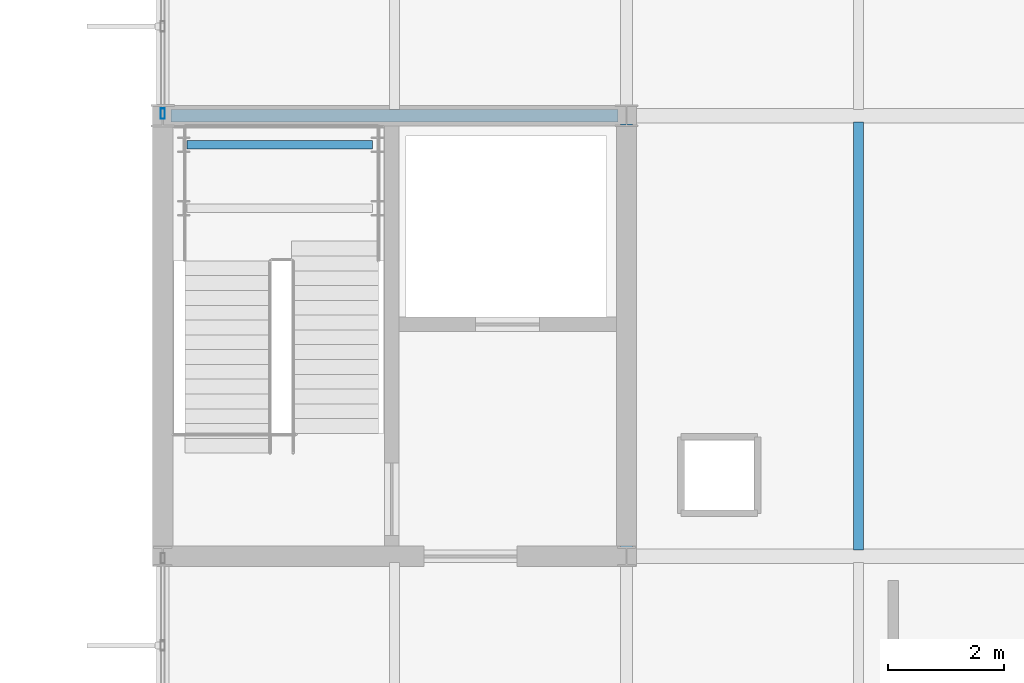
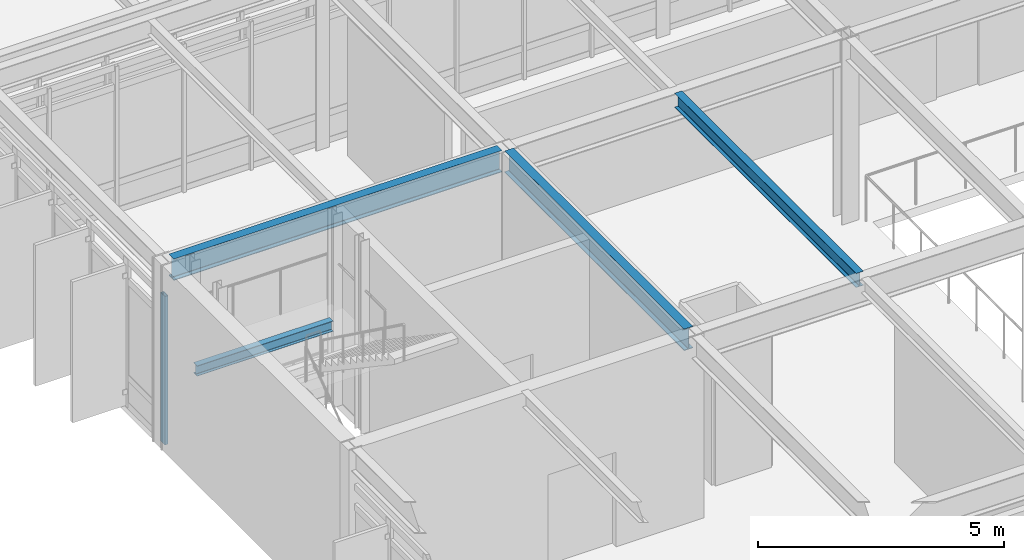
# One storey, part 44 of 104: 4 beams, 1 member, 1 element without a shape of its own.
"""IFC4 building model written with IfcOpenShell, lengths in metres."""

from ifc_helpers import new_model, si_unit, direction, frame, origin, origin_2d, place, context, subcontext, project, spatial, hollow_rectangle, i_section, extrude, material, material_profile, profile_set, type_object, element, aggregate, save


model = new_model("IFC4")

# Units and contexts
model_context = context("Model", 3, precision=1e-05, world=origin(), true_north=direction((0.0, 1.0)))
body_context = subcontext(model_context, "Body", "Model", "MODEL_VIEW")
ifc_project = project(units=[si_unit("LENGTHUNIT", "METRE"), si_unit("AREAUNIT", "SQUARE_METRE"), si_unit("VOLUMEUNIT", "CUBIC_METRE"), si_unit("PLANEANGLEUNIT", "RADIAN"), si_unit("MASSUNIT", "GRAM", prefix="KILO")], contexts=[model_context])

# Site, building, storey
site_placement = place(None, origin())
site = spatial("IfcSite", under=ifc_project, at=site_placement, CompositionType="ELEMENT")
building_placement = place(site_placement, origin())
building = spatial("IfcBuilding", under=site, at=building_placement, Name="Zulena Civic Courthouse", CompositionType="ELEMENT")
storey_placement = place(building_placement, frame((0.0, 0.0, 15.60009765625)))
storey = spatial("IfcBuildingStorey", under=building, at=storey_placement, Name="L03", CompositionType="ELEMENT", Elevation=15.60009765625)

# Curtain wall, member
ifc_material_1 = material(Name="Double-silver low-E laminated solar-control glass", Category="glass")
curtain_wall_type = type_object("IfcCurtainWallType", Name="CW_7528x3690", PredefinedType="USERDEFINED", material=ifc_material_1)
curtain_wall_placement = place(storey_placement, origin())
curtain_wall = element("IfcCurtainWall", 1, at=curtain_wall_placement, inside=storey, type_object=curtain_wall_type, Name="cw:V4:L03:0:3", ObjectType="UNITISED CURTAIN WALL", PredefinedType="USERDEFINED")
ifc_material_2 = material(Name="Bronze anodised thermally broken aluminium AA6063-T6", Category="aluminium")
ifc_material_profile_1 = material_profile(ifc_material_2, hollow_rectangle(XDim=0.074951171875, YDim=0.179931640625, WallThickness=0.0048828125, at=origin_2d()), Name="CWM180X75X5")
ifc_profile_set_1 = profile_set([ifc_material_profile_1], Name="Bronze anodised thermally broken aluminium AA6063-T6")
member_type = type_object("IfcMemberType", Name="CWMullion_180x75", PredefinedType="MULLION", material=ifc_profile_set_1)
member_placement = place(storey_placement, frame((68.0, 38.035888671875, 0.0), z_axis=(0.0, 0.0, 1.0), x_axis=(1.0, 0.0, 0.0)))
member = element("IfcMember", 2, at=member_placement, type_object=member_type, Name="cw:V4:L03:0:3:mull:0", PredefinedType="MULLION", context=body_context, shape_type="SweptSolid", body=[
    extrude(hollow_rectangle(XDim=0.074951171875, YDim=0.179931640625, WallThickness=0.0048828125, at=origin_2d()), origin(), (0.0, 0.0, 1.0), 3.68994140625),
])
aggregate(curtain_wall, [member])

# Beams
ifc_material_3 = material(Name="Steel ASTM A992 Grade 50", Category="steel")
ifc_material_profile_2 = material_profile(ifc_material_3, i_section(OverallWidth=0.2099609375, OverallDepth=0.537109375, WebThickness=0.010986328125, FlangeThickness=0.017333984375, FilletRadius=0.0126953125, at=origin_2d()), Name="W21X68")
ifc_profile_set_2 = profile_set([ifc_material_profile_2], Name="Steel ASTM A992 Grade 50")
beam_type_1 = type_object("IfcBeamType", Name="Girder_W21X68", PredefinedType="BEAM", material=ifc_profile_set_2)
beam_1_placement = place(storey_placement, frame((76.0, 30.544921875, 4.3212890625), z_axis=(0.0, 1.0, 0.0), x_axis=(-1.0, 0.0, 0.0)))
element("IfcBeam", 3, at=beam_1_placement, inside=storey, type_object=beam_type_1, Name="beam:Y:V4:L03:76.0:30.4_38.0", PredefinedType="BEAM", context=body_context, shape_type="SweptSolid", body=[
    extrude(i_section(OverallWidth=0.2099609375, OverallDepth=0.537109375, WebThickness=0.010986328125, FlangeThickness=0.017333984375, FilletRadius=0.0126953125, at=origin_2d()), origin(), (0.0, 0.0, 1.0), 7.31005859375),
])
ifc_material_profile_3 = material_profile(ifc_material_3, i_section(OverallWidth=0.14599609375, OverallDepth=0.258056640625, WebThickness=0.006103515625, FlangeThickness=0.009033203125, FilletRadius=0.007568359375, at=origin_2d()), Name="W10X22")
ifc_profile_set_3 = profile_set([ifc_material_profile_3], Name="Steel ASTM A992 Grade 50")
beam_type_2 = type_object("IfcBeamType", Name="Joist_W10X22", PredefinedType="JOIST", material=ifc_profile_set_3)
beam_2_placement = place(storey_placement, frame((68.419921875, 37.5, 1.990966796875), z_axis=(1.0, 0.0, 0.0), x_axis=(0.0, 1.0, 0.0)))
element("IfcBeam", 4, at=beam_2_placement, inside=storey, type_object=beam_type_2, Name="beam:lnd:K4A:L03:1", PredefinedType="JOIST", context=body_context, shape_type="SweptSolid", body=[
    extrude(i_section(OverallWidth=0.14599609375, OverallDepth=0.258056640625, WebThickness=0.006103515625, FlangeThickness=0.009033203125, FilletRadius=0.007568359375, at=origin_2d()), origin(), (0.0, 0.0, 1.0), 3.2001953125),
])
ifc_material_profile_4 = material_profile(ifc_material_3, i_section(OverallWidth=0.1708984375, OverallDepth=0.35205078125, WebThickness=0.0068359375, FlangeThickness=0.009765625, FilletRadius=0.01025390625, at=origin_2d()), Name="W14X30")
ifc_profile_set_4 = profile_set([ifc_material_profile_4], Name="Steel ASTM A992 Grade 50")
beam_type_3 = type_object("IfcBeamType", Name="Joist_W14X30", PredefinedType="JOIST", material=ifc_profile_set_4)
beam_3_placement = place(storey_placement, frame((80.0, 30.5048828125, 4.413818359375), z_axis=(0.0, 1.0, 0.0), x_axis=(-1.0, 0.0, 0.0)))
element("IfcBeam", 5, at=beam_3_placement, inside=storey, type_object=beam_type_3, Name="joist:V4:L03:80.00:30.4_38.0", PredefinedType="JOIST", context=body_context, shape_type="SweptSolid", body=[
    extrude(i_section(OverallWidth=0.1708984375, OverallDepth=0.35205078125, WebThickness=0.0068359375, FlangeThickness=0.009765625, FilletRadius=0.01025390625, at=origin_2d()), origin(), (0.0, 0.0, 1.0), 7.39013671875),
])
ifc_material_profile_5 = material_profile(ifc_material_3, i_section(OverallWidth=0.2099609375, OverallDepth=0.537109375, WebThickness=0.010986328125, FlangeThickness=0.017333984375, FilletRadius=0.0126953125, at=origin_2d()), Name="W21X68")
ifc_profile_set_5 = profile_set([ifc_material_profile_5], Name="Steel ASTM A992 Grade 50")
beam_type_4 = type_object("IfcBeamType", Name="Spandrel_W21X68", PredefinedType="SPANDREL", material=ifc_profile_set_5)
beam_4_placement = place(storey_placement, frame((68.14501953125, 38.0, 4.3212890625), z_axis=(1.0, 0.0, 0.0), x_axis=(0.0, 1.0, 0.0)))
element("IfcBeam", 6, at=beam_4_placement, inside=storey, type_object=beam_type_4, Name="beam:X:V4:L03:38.0:68.0_76.0", PredefinedType="SPANDREL", context=body_context, shape_type="SweptSolid", body=[
    extrude(i_section(OverallWidth=0.2099609375, OverallDepth=0.537109375, WebThickness=0.010986328125, FlangeThickness=0.017333984375, FilletRadius=0.0126953125, at=origin_2d()), origin(), (0.0, 0.0, 1.0), 7.7099609375),
])

save(model, "model.ifc")
